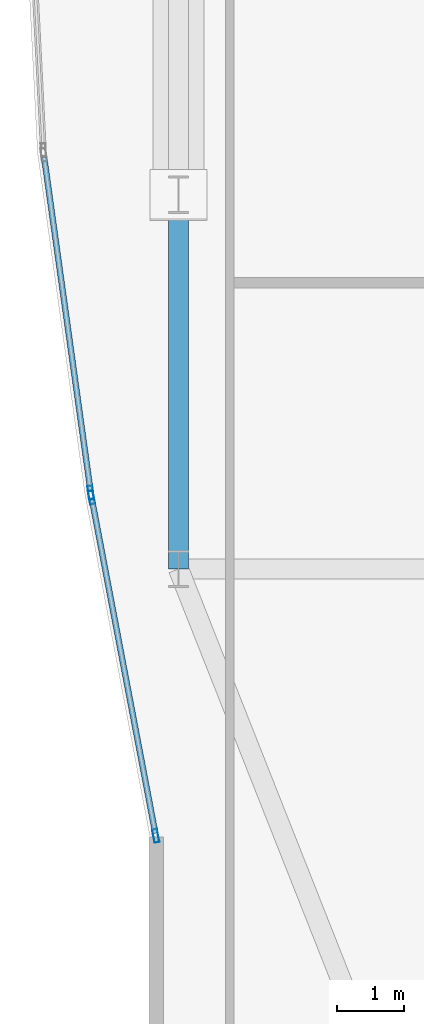
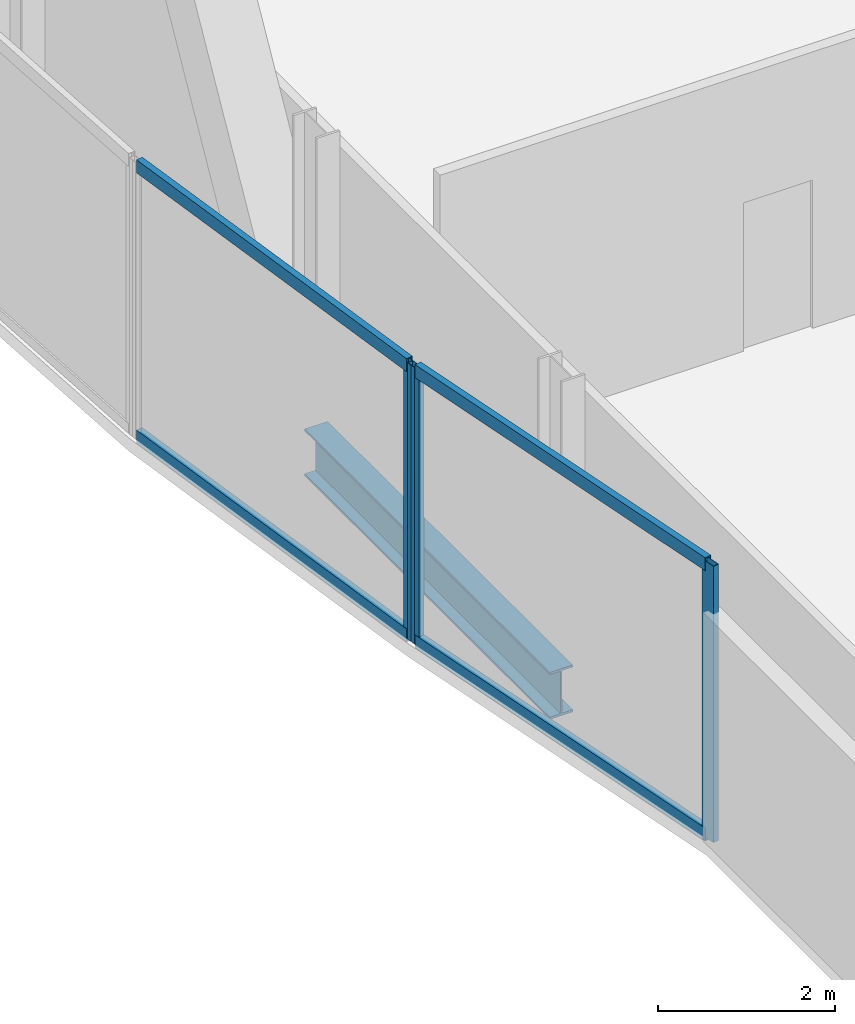
# One storey, part 6 of 37: 7 members, 1 beam, 2 elements without a shape of their own.
"""IFC4 building model written with IfcOpenShell, lengths in metres."""

from ifc_helpers import new_model, si_unit, direction, frame, origin, origin_2d, place, context, subcontext, project, spatial, hollow_rectangle, i_section, extrude, material, material_profile, profile_set, type_object, element, aggregate, save


model = new_model("IFC4")

# Units and contexts
model_context = context("Model", 3, precision=1e-05, world=origin(), true_north=direction((0.0, 1.0)))
body_context = subcontext(model_context, "Body", "Model", "MODEL_VIEW")
ifc_project = project(units=[si_unit("LENGTHUNIT", "METRE"), si_unit("AREAUNIT", "SQUARE_METRE"), si_unit("VOLUMEUNIT", "CUBIC_METRE"), si_unit("PLANEANGLEUNIT", "RADIAN"), si_unit("MASSUNIT", "GRAM", prefix="KILO")], contexts=[model_context])

# Site, building, storey
site_placement = place(None, origin())
site = spatial("IfcSite", under=ifc_project, at=site_placement, CompositionType="ELEMENT")
building_placement = place(site_placement, origin())
building = spatial("IfcBuilding", under=site, at=building_placement, Name="Khoronbel Lancet Exchange", CompositionType="ELEMENT")
storey_placement = place(building_placement, frame((0.0, 0.0, 61.800048828125)))
storey = spatial("IfcBuildingStorey", under=building, at=storey_placement, Name="L14", CompositionType="ELEMENT", Elevation=61.800048828125)

# Beam
ifc_material_1 = material(Name="Steel S355", Category="steel")
ifc_material_profile_1 = material_profile(ifc_material_1, i_section(OverallWidth=0.300048828125, OverallDepth=0.64990234375, WebThickness=0.01611328125, FlangeThickness=0.031005859375, at=origin_2d()), Name="HEB 650")
ifc_profile_set_1 = profile_set([ifc_material_profile_1], Name="Steel S355")
beam_type = type_object("IfcBeamType", Name="BM-BSP1", PredefinedType="SPANDREL", material=ifc_profile_set_1)
beam_placement = place(storey_placement, frame((1.27001953125, 24.75, -0.505126953125), z_axis=(0.0, -1.0, 0.0), x_axis=(1.0, 0.0, 0.0)))
element("IfcBeam", 1, at=beam_placement, inside=storey, type_object=beam_type, Name="Level L14 perimeter spandrel beam SP20", PredefinedType="SPANDREL", context=body_context, shape_type="SweptSolid", body=[
    extrude(i_section(OverallWidth=0.300048828125, OverallDepth=0.64990234375, WebThickness=0.01611328125, FlangeThickness=0.031005859375, at=origin_2d()), origin(), (0.0, 0.0, 1.0), 5.550048828125),
])

# Curtain wall, members
ifc_material_2 = material(Name="Low-E Solar Control Insulating Glass", Category="glass")
curtain_wall_type = type_object("IfcCurtainWallType", Name="CW-4", PredefinedType="NOTDEFINED", material=ifc_material_2)
curtain_wall_1_placement = place(storey_placement, origin())
curtain_wall_1 = element("IfcCurtainWall", 2, at=curtain_wall_1_placement, inside=storey, type_object=curtain_wall_type, Name="Unitised curtain wall CW-L14-E04", PredefinedType="NOTDEFINED")
ifc_material_3 = material(Name="Bronze-Anodised Aluminium 6063-T6", Category="aluminium")
ifc_material_profile_2 = material_profile(ifc_material_3, hollow_rectangle(XDim=0.074951171875, YDim=0.199951171875, WallThickness=0.0048828125, at=origin_2d()), Name="ALU MULLION 75x200")
ifc_profile_set_2 = profile_set([ifc_material_profile_2], Name="Bronze-Anodised Aluminium 6063-T6")
member_type_1 = type_object("IfcMemberType", Name="MEM-CWM2", PredefinedType="MULLION", material=ifc_profile_set_2)
member_1_placement = place(storey_placement, frame((0.93310546875, 15.245361328125, 0.0), z_axis=(0.0, 0.0, 1.0), x_axis=(-0.982445189576, -0.186551466034, 0.0)))
member_1 = element("IfcMember", 3, at=member_1_placement, type_object=member_type_1, Name="CW4 mullion 1", PredefinedType="MULLION", context=body_context, shape_type="SweptSolid", body=[
    extrude(hollow_rectangle(XDim=0.074951171875, YDim=0.199951171875, WallThickness=0.0048828125, at=origin_2d()), origin(), (0.0, 0.0, 1.0), 3.820068359375),
])
member_2_placement = place(storey_placement, frame((-0.019287109375, 20.260986328125, 0.0), z_axis=(0.0, 0.0, 1.0), x_axis=(-0.982445189576, -0.186551466034, 0.0)))
member_2 = element("IfcMember", 4, at=member_2_placement, type_object=member_type_1, Name="CW4 mullion 2", PredefinedType="MULLION", context=body_context, shape_type="SweptSolid", body=[
    extrude(hollow_rectangle(XDim=0.074951171875, YDim=0.199951171875, WallThickness=0.0048828125, at=origin_2d()), origin(), (0.0, 0.0, 1.0), 3.820068359375),
])

# Curtain wall, member
curtain_wall_2_placement = place(storey_placement, origin())
curtain_wall_2 = element("IfcCurtainWall", 5, at=curtain_wall_2_placement, inside=storey, type_object=curtain_wall_type, Name="Unitised curtain wall CW-L14-E05", PredefinedType="NOTDEFINED")
member_3_placement = place(storey_placement, frame((-0.031494140625, 20.3349609375, 0.0), z_axis=(0.0, 0.0, 1.0), x_axis=(-0.9904784605, -0.137667785939, 0.0)))
member_3 = element("IfcMember", 6, at=member_3_placement, type_object=member_type_1, Name="CW4 mullion 1", PredefinedType="MULLION", context=body_context, shape_type="SweptSolid", body=[
    extrude(hollow_rectangle(XDim=0.074951171875, YDim=0.199951171875, WallThickness=0.0048828125, at=origin_2d()), origin(), (0.0, 0.0, 1.0), 3.820068359375),
])

# Member
ifc_material_profile_3 = material_profile(ifc_material_3, hollow_rectangle(XDim=0.0849609375, YDim=0.179931640625, WallThickness=0.0048828125, at=origin_2d()), Name="ALU TRANSOM 85x180")
ifc_profile_set_3 = profile_set([ifc_material_profile_3], Name="Bronze-Anodised Aluminium 6063-T6")
member_type_2 = type_object("IfcMemberType", Name="MEM-CWT1", PredefinedType="USERDEFINED", material=ifc_profile_set_3)
member_4_placement = place(storey_placement, frame((0.926025390625, 15.2822265625, 0.04248046875), z_axis=(-0.186567894323, 0.98244206995, 0.0), x_axis=(-0.98244206995, -0.186567894323, 0.0)))
member_4 = element("IfcMember", 7, at=member_4_placement, type_object=member_type_2, Name="CW4 transom 1.1", ObjectType="TRANSOM", PredefinedType="USERDEFINED", context=body_context, shape_type="SweptSolid", body=[
    extrude(hollow_rectangle(XDim=0.0849609375, YDim=0.179931640625, WallThickness=0.0048828125, at=origin_2d()), origin(), (0.0, 0.0, 1.0), 5.0302734375),
])

member_5_placement = place(storey_placement, frame((0.926025390625, 15.2822265625, 3.77734375), z_axis=(-0.186567894323, 0.98244206995, 0.0), x_axis=(-0.98244206995, -0.186567894323, 0.0)))
member_5 = element("IfcMember", 8, at=member_5_placement, type_object=member_type_2, Name="CW4 transom 1.2", ObjectType="TRANSOM", PredefinedType="USERDEFINED", context=body_context, shape_type="SweptSolid", body=[
    extrude(hollow_rectangle(XDim=0.0849609375, YDim=0.179931640625, WallThickness=0.0048828125, at=origin_2d()), origin(), (0.0, 0.0, 1.0), 5.0302734375),
])

aggregate(curtain_wall_1, [member_1, member_2, member_4, member_5])

member_6_placement = place(storey_placement, frame((-0.03662109375, 20.3720703125, 0.04248046875), z_axis=(-0.137663297376, 0.990479084361, 0.0), x_axis=(-0.990479084361, -0.137663297376, 0.0)))
member_6 = element("IfcMember", 9, at=member_6_placement, type_object=member_type_2, Name="CW4 transom 1.1", ObjectType="TRANSOM", PredefinedType="USERDEFINED", context=body_context, shape_type="SweptSolid", body=[
    extrude(hollow_rectangle(XDim=0.0849609375, YDim=0.179931640625, WallThickness=0.0048828125, at=origin_2d()), origin(), (0.0, 0.0, 1.0), 4.976318359375),
])

member_7_placement = place(storey_placement, frame((-0.03662109375, 20.3720703125, 3.77734375), z_axis=(-0.137663297376, 0.990479084361, 0.0), x_axis=(-0.990479084361, -0.137663297376, 0.0)))
member_7 = element("IfcMember", 10, at=member_7_placement, type_object=member_type_2, Name="CW4 transom 1.2", ObjectType="TRANSOM", PredefinedType="USERDEFINED", context=body_context, shape_type="SweptSolid", body=[
    extrude(hollow_rectangle(XDim=0.0849609375, YDim=0.179931640625, WallThickness=0.0048828125, at=origin_2d()), origin(), (0.0, 0.0, 1.0), 4.976318359375),
])

aggregate(curtain_wall_2, [member_3, member_6, member_7])

save(model, "model.ifc")
